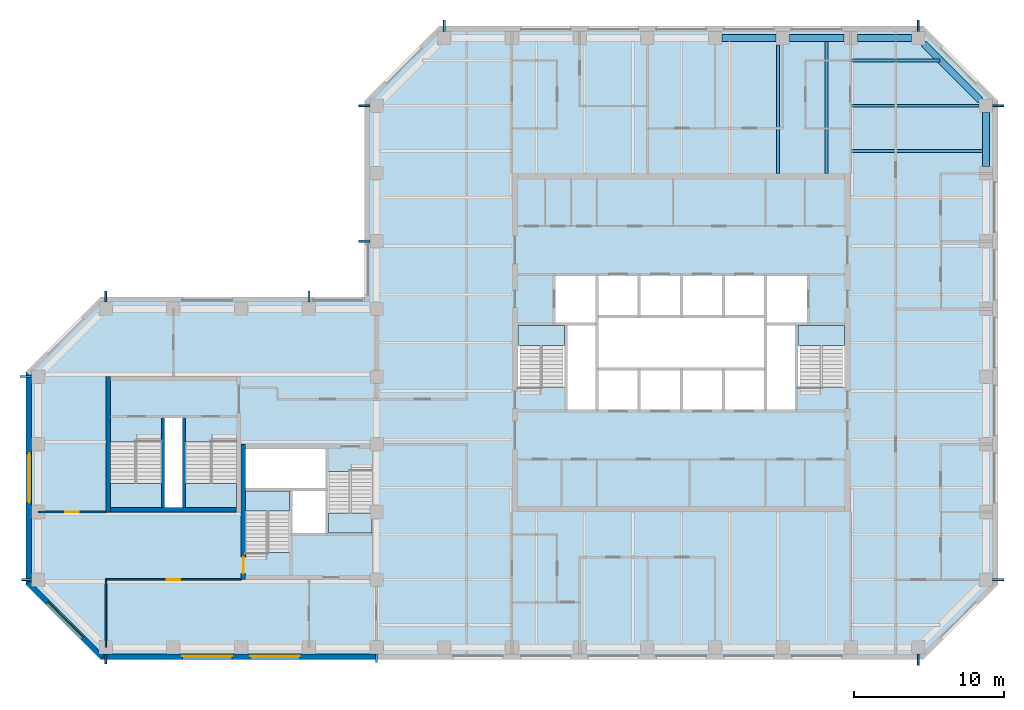
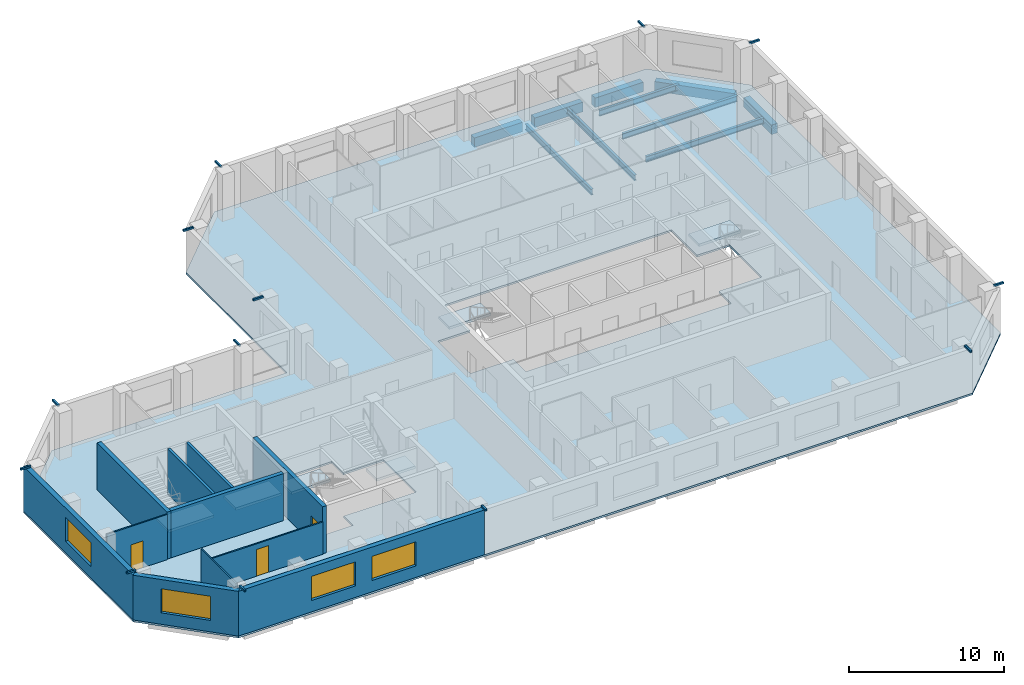
# One storey, part 2 of 9: 23 beams, 11 walls, 7 slabs, 4 windows, 3 doors, 7 openings, 6 elements without a shape of their own.
"""IFC4 building model written with IfcOpenShell, lengths in metres."""

from ifc_helpers import new_model, si_unit, direction, frame, frame_2d, origin, origin_2d, place, context, subcontext, project, spatial, polyline, rectangle, hollow_rectangle, i_section, outline, extrude, material, layer, layer_set, constituent, constituent_set, material_profile, profile_set, type_object, element, fill, aggregate, save


model = new_model("IFC4")

# Units and contexts
model_context = context("Model", 3, precision=1e-05, world=origin(), true_north=direction((0.0, 1.0)))
body_context = subcontext(model_context, "Body", "Model", "MODEL_VIEW")
ifc_project = project(units=[si_unit("LENGTHUNIT", "METRE"), si_unit("AREAUNIT", "SQUARE_METRE"), si_unit("VOLUMEUNIT", "CUBIC_METRE"), si_unit("PLANEANGLEUNIT", "RADIAN"), si_unit("MASSUNIT", "GRAM", prefix="KILO")], contexts=[model_context])

# Site, building, storey
site_placement = place(None, origin())
site = spatial("IfcSite", under=ifc_project, at=site_placement, CompositionType="ELEMENT")
building_placement = place(site_placement, origin())
building = spatial("IfcBuilding", under=site, at=building_placement, Name="Quoin Convention Tower", CompositionType="ELEMENT")
storey_placement = place(building_placement, frame((0.0, 0.0, 245.199951171875)))
storey = spatial("IfcBuildingStorey", under=building, at=storey_placement, Name="L64", CompositionType="ELEMENT", Elevation=245.199951171875)

# Beams
ifc_material_1 = material(Name="Steel C450L0", Category="steel")
ifc_material_profile_1 = material_profile(ifc_material_1, hollow_rectangle(XDim=0.14990234375, YDim=0.14990234375, WallThickness=0.008056640625, InnerFilletRadius=0.011962890625, OuterFilletRadius=0.02001953125, at=origin_2d()), Name="150x150x8.0SHS")
ifc_profile_set_1 = profile_set([ifc_material_profile_1], Name="Steel C450L0")
beam_type_1 = type_object("IfcBeamType", Name="150x150x8.0SHS", PredefinedType="BEAM", material=ifc_profile_set_1)
beam_1_placement = place(storey_placement, frame((13.050048828125, 58.5, 3.625), z_axis=(-1.0, 0.0, 0.0), x_axis=(0.0, -1.0, 0.0)))
element("IfcBeam", 1, at=beam_1_placement, inside=storey, type_object=beam_type_1, Name="brk-hi-L61-13500_58500-13500_54000", PredefinedType="BEAM", context=body_context, shape_type="SweptSolid", body=[
    extrude(hollow_rectangle(XDim=0.14990234375, YDim=0.14990234375, WallThickness=0.008056640625, InnerFilletRadius=0.011962890625, OuterFilletRadius=0.02001953125, at=origin_2d()), origin(), (0.0, 0.0, 1.0), 0.75),
])
for number, where, z_axis, x_axis, name in (
    (2, (13.050048828125, 45.0, 3.625), (-1.0, 0.0, 0.0), (0.0, -1.0, 0.0), "brk-hi-L61-13500_49500-13500_45000"),
    (3, (18.0, 40.050048828125, 3.625), (0.0, -1.0, 0.0), (1.0, 0.0, 0.0), "brk-hi-L61-18000_40500-22500_40500"),
):
    element("IfcBeam", number, at=place(storey_placement, frame(where, z_axis=z_axis, x_axis=x_axis)), inside=storey, type_object=beam_type_1, Name=name, PredefinedType="BEAM", context=body_context, shape_type="SweptSolid", body=[
        extrude(hollow_rectangle(XDim=0.14990234375, YDim=0.14990234375, WallThickness=0.008056640625, InnerFilletRadius=0.011962890625, OuterFilletRadius=0.02001953125, at=origin_2d()), origin(), (0.0, 0.0, 1.0), 0.650146484375),
    ])
beam_2_placement = place(storey_placement, frame((36.0, 40.050048828125, 3.625), z_axis=(0.0, -1.0, 0.0), x_axis=(1.0, 0.0, 0.0)))
element("IfcBeam", 4, at=beam_2_placement, inside=storey, type_object=beam_type_1, Name="brk-hi-L61-31500_40500-36000_40500", PredefinedType="BEAM", context=body_context, shape_type="SweptSolid", body=[
    extrude(hollow_rectangle(XDim=0.14990234375, YDim=0.14990234375, WallThickness=0.008056640625, InnerFilletRadius=0.011962890625, OuterFilletRadius=0.02001953125, at=origin_2d()), origin(), (0.0, 0.0, 1.0), 0.550048828125),
])
for number, where, z_axis, x_axis, name in (
    (5, (72.0, 40.050048828125, 3.625), (0.0, -1.0, 0.0), (1.0, 0.0, 0.0), "brk-hi-L61-67500_40500-72000_40500"),
    (6, (31.5, 63.449951171875, 3.625), (0.0, 1.0, 0.0), (-1.0, 0.0, 0.0), "brk-hi-L61-31500_63000-27000_63000"),
    (7, (18.0, 63.449951171875, 3.625), (0.0, 1.0, 0.0), (-1.0, 0.0, 0.0), "brk-hi-L61-22500_63000-18000_63000"),
    (8, (35.550048828125, 76.5, 3.625), (-1.0, 0.0, 0.0), (0.0, -1.0, 0.0), "brk-hi-L61-36000_76500-36000_72000"),
    (9, (35.550048828125, 67.5, 3.625), (-1.0, 0.0, 0.0), (0.0, -1.0, 0.0), "brk-hi-L61-36000_72000-36000_67500"),
    (10, (72.0, 81.449951171875, 3.625), (0.0, 1.0, 0.0), (-1.0, 0.0, 0.0), "brk-hi-L61-72000_81000-67500_81000"),
    (11, (40.5, 81.449951171875, 3.625), (0.0, 1.0, 0.0), (-1.0, 0.0, 0.0), "brk-hi-L61-45000_81000-40500_81000"),
    (12, (76.949951171875, 45.0, 3.625), (1.0, 0.0, 0.0), (0.0, 1.0, 0.0), "brk-hi-L61-76500_45000-76500_49500"),
    (13, (76.949951171875, 76.5, 3.625), (1.0, 0.0, 0.0), (0.0, 1.0, 0.0), "brk-hi-L61-76500_72000-76500_76500"),
):
    element("IfcBeam", number, at=place(storey_placement, frame(where, z_axis=z_axis, x_axis=x_axis)), inside=storey, type_object=beam_type_1, Name=name, PredefinedType="BEAM", context=body_context, shape_type="SweptSolid", body=[
        extrude(hollow_rectangle(XDim=0.14990234375, YDim=0.14990234375, WallThickness=0.008056640625, InnerFilletRadius=0.011962890625, OuterFilletRadius=0.02001953125, at=origin_2d()), origin(), (0.0, 0.0, 1.0), 0.75),
    ])
ifc_material_2 = material(Name="Steel Grade 300", Category="steel")
ifc_material_profile_2 = material_profile(ifc_material_2, i_section(OverallWidth=0.18994140625, OverallDepth=0.4541015625, WebThickness=0.008544921875, FlangeThickness=0.0126953125, FilletRadius=0.011474609375, at=origin_2d()), Name="460UB67.1")
ifc_profile_set_2 = profile_set([ifc_material_profile_2], Name="Steel Grade 300")
beam_type_2 = type_object("IfcBeamType", Name="460UB67.1", PredefinedType="BEAM", material=ifc_profile_set_2)
beam_3_placement = place(storey_placement, frame((62.6787109375, 72.0, -0.376953125), z_axis=(0.0, 1.0, 0.0), x_axis=(-1.0, 0.0, 0.0)))
element("IfcBeam", 14, at=beam_3_placement, inside=storey, type_object=beam_type_2, Name="bm-L64-T1N5", PredefinedType="BEAM", context=body_context, shape_type="SweptSolid", body=[
    extrude(i_section(OverallWidth=0.18994140625, OverallDepth=0.4541015625, WebThickness=0.008544921875, FlangeThickness=0.0126953125, FilletRadius=0.011474609375, at=origin_2d()), origin(), (0.0, 0.0, 1.0), 8.550048828125),
])
beam_4_placement = place(storey_placement, frame((65.892822265625, 72.0, -0.376953125), z_axis=(0.0, 1.0, 0.0), x_axis=(-1.0, 0.0, 0.0)))
element("IfcBeam", 15, at=beam_4_placement, inside=storey, type_object=beam_type_2, Name="bm-L64-T1N6", PredefinedType="BEAM", context=body_context, shape_type="SweptSolid", body=[
    extrude(i_section(OverallWidth=0.18994140625, OverallDepth=0.4541015625, WebThickness=0.008544921875, FlangeThickness=0.0126953125, FilletRadius=0.011474609375, at=origin_2d()), origin(), (0.0, 0.0, 1.0), 8.77490234375),
])
beam_5_placement = place(storey_placement, frame((67.5, 79.5, -0.376953125), z_axis=(1.0, 0.0, 0.0), x_axis=(0.0, 1.0, 0.0)))
element("IfcBeam", 16, at=beam_5_placement, inside=storey, type_object=beam_type_2, Name="bm-L64-T1NE0", PredefinedType="BEAM", context=body_context, shape_type="SweptSolid", body=[
    extrude(i_section(OverallWidth=0.18994140625, OverallDepth=0.4541015625, WebThickness=0.008544921875, FlangeThickness=0.0126953125, FilletRadius=0.011474609375, at=origin_2d()), origin(), (0.0, 0.0, 1.0), 5.935791015625),
])
beam_6_placement = place(storey_placement, frame((67.5, 76.5, -0.376953125), z_axis=(1.0, 0.0, 0.0), x_axis=(0.0, 1.0, 0.0)))
element("IfcBeam", 17, at=beam_6_placement, inside=storey, type_object=beam_type_2, Name="bm-L64-T1NE1", PredefinedType="BEAM", context=body_context, shape_type="SweptSolid", body=[
    extrude(i_section(OverallWidth=0.18994140625, OverallDepth=0.4541015625, WebThickness=0.008544921875, FlangeThickness=0.0126953125, FilletRadius=0.011474609375, at=origin_2d()), origin(), (0.0, 0.0, 1.0), 8.550048828125),
])
beam_7_placement = place(storey_placement, frame((67.5, 73.5, -0.376953125), z_axis=(1.0, 0.0, 0.0), x_axis=(0.0, 1.0, 0.0)))
element("IfcBeam", 18, at=beam_7_placement, inside=storey, type_object=beam_type_2, Name="bm-L64-T1NE2", PredefinedType="BEAM", context=body_context, shape_type="SweptSolid", body=[
    extrude(i_section(OverallWidth=0.18994140625, OverallDepth=0.4541015625, WebThickness=0.008544921875, FlangeThickness=0.0126953125, FilletRadius=0.011474609375, at=origin_2d()), origin(), (0.0, 0.0, 1.0), 8.77490234375),
])
ifc_material_3 = material(Name="Concrete C50", Category="concrete")
ifc_material_profile_3 = material_profile(ifc_material_3, rectangle(XDim=0.449951171875, YDim=0.75, at=origin_2d()), Name="RC 450x750")
ifc_profile_set_3 = profile_set([ifc_material_profile_3], Name="Concrete C50")
beam_type_3 = type_object("IfcBeamType", Name="RC 450x750 C50", PredefinedType="SPANDREL", material=ifc_profile_set_3)
beam_8_placement = place(storey_placement, frame((76.5, 72.449951171875, -0.52490234375), z_axis=(0.0, 1.0, 0.0), x_axis=(-1.0, 0.0, 0.0)))
element("IfcBeam", 19, at=beam_8_placement, inside=storey, type_object=beam_type_3, Name="spd-L64-76500_72000-76500_76500", PredefinedType="SPANDREL", context=body_context, shape_type="SweptSolid", body=[
    extrude(rectangle(XDim=0.449951171875, YDim=0.75, at=origin_2d()), origin(), (0.0, 0.0, 1.0), 3.60009765625),
])
beam_9_placement = place(storey_placement, frame((76.135009765625, 76.864990234375, -0.52490234375), z_axis=(-0.707106781187, 0.707106781187, 0.0), x_axis=(-0.707106781187, -0.707106781187, 0.0)))
element("IfcBeam", 20, at=beam_9_placement, inside=storey, type_object=beam_type_3, Name="spd-L64-76500_76500-72000_81000", PredefinedType="SPANDREL", context=body_context, shape_type="SweptSolid", body=[
    extrude(rectangle(XDim=0.449951171875, YDim=0.75, at=origin_2d()), origin(), (0.0, 0.0, 1.0), 5.33154296875),
])
for number, where, z_axis, x_axis, name in (
    (21, (71.550048828125, 81.0, -0.52490234375), (-1.0, 0.0, 0.0), (0.0, -1.0, 0.0), "spd-L64-72000_81000-67500_81000"),
    (22, (67.050048828125, 81.0, -0.52490234375), (-1.0, 0.0, 0.0), (0.0, -1.0, 0.0), "spd-L64-67500_81000-63000_81000"),
    (23, (62.550048828125, 81.0, -0.52490234375), (-1.0, 0.0, 0.0), (0.0, -1.0, 0.0), "spd-L64-63000_81000-58500_81000"),
):
    element("IfcBeam", number, at=place(storey_placement, frame(where, z_axis=z_axis, x_axis=x_axis)), inside=storey, type_object=beam_type_3, Name=name, PredefinedType="SPANDREL", context=body_context, shape_type="SweptSolid", body=[
        extrude(rectangle(XDim=0.449951171875, YDim=0.75, at=origin_2d()), origin(), (0.0, 0.0, 1.0), 3.60009765625),
    ])

# Slab
ifc_material_4 = material(Name="Concrete C40", Category="concrete")
ifc_layer_1 = layer(ifc_material_4, 0.14990234375)
ifc_layer_set_1 = layer_set([ifc_layer_1], Name="Concrete C40")
slab_type_1 = type_object("IfcSlabType", Name="COMPOSITE SLAB 150 C40", PredefinedType="FLOOR", material=ifc_layer_set_1)
slab_1_placement = place(storey_placement, frame((0.0, 0.0, -0.14990234375)))
element("IfcSlab", 24, at=slab_1_placement, inside=storey, type_object=slab_type_1, Name="slb-L64", PredefinedType="FLOOR", context=body_context, shape_type="SweptSolid", body=[
    extrude(outline(polyline([(17.668701171875, 39.699951171875), (12.699951171875, 44.668701171875), (12.699951171875, 58.831298828125), (17.668701171875, 63.800048828125), (35.199951171875, 63.800048828125), (35.199951171875, 76.831298828125), (40.168701171875, 81.800048828125), (72.331298828125, 81.800048828125), (77.300048828125, 76.831298828125), (77.300048828125, 44.668701171875), (72.331298828125, 39.699951171875), (17.668701171875, 39.699951171875)]), holes=[polyline([(27.300048828125, 51.0), (27.300048828125, 46.800537109375), (30.300048828125, 46.800537109375), (30.300048828125, 48.0), (32.699951171875, 48.0), (35.699951171875, 48.0), (35.699951171875, 52.199462890625), (32.699951171875, 52.199462890625), (32.699951171875, 53.699951171875), (27.300048828125, 53.699951171875), (27.300048828125, 51.0)]), polyline([(18.300048828125, 49.800048828125), (21.800048828125, 49.800048828125), (23.199951171875, 49.800048828125), (26.699951171875, 49.800048828125), (26.699951171875, 54.1494140625), (23.199951171875, 54.1494140625), (23.199951171875, 55.85009765625), (21.800048828125, 55.85009765625), (21.800048828125, 54.1494140625), (18.300048828125, 54.1494140625), (18.300048828125, 49.800048828125)]), polyline([(48.60009765625, 56.199951171875), (50.64990234375, 56.199951171875), (53.449951171875, 56.199951171875), (56.25, 56.199951171875), (59.050048828125, 56.199951171875), (61.85009765625, 56.199951171875), (63.89990234375, 56.199951171875), (63.89990234375, 57.800537109375), (67.10009765625, 57.800537109375), (67.10009765625, 62.0), (64.699951171875, 62.0), (64.699951171875, 65.300048828125), (61.85009765625, 65.300048828125), (59.050048828125, 65.300048828125), (56.25, 65.300048828125), (53.449951171875, 65.300048828125), (50.64990234375, 65.300048828125), (47.800048828125, 65.300048828125), (47.800048828125, 62.0), (45.39990234375, 62.0), (45.39990234375, 57.800537109375), (48.60009765625, 57.800537109375), (48.60009765625, 56.199951171875)])]), origin(), (0.0, 0.0, 1.0), 0.14990234375),
])

# Stair, slab
stair_type_1 = type_object("IfcStairType", Name="Exit stair two-flight 1350", PredefinedType="HALF_TURN_STAIR", material=ifc_material_4)
stair_1_placement = place(storey_placement, origin())
stair_1 = element("IfcStair", 25, at=stair_1_placement, inside=storey, type_object=stair_type_1, Name="SD1 L64", PredefinedType="HALF_TURN_STAIR")
ifc_layer_2 = layer(ifc_material_4, 0.199951171875)
ifc_layer_set_2 = layer_set([ifc_layer_2], Name="Concrete C40")
slab_type_2 = type_object("IfcSlabType", Name="Stair landing 200", PredefinedType="LANDING", material=ifc_layer_set_2)
slab_2_placement = place(storey_placement, frame((0.0, 0.0, 1.792236328125)))
slab_2 = element("IfcSlab", 26, at=slab_2_placement, type_object=slab_type_2, Name="ST1 landing 1", PredefinedType="LANDING", context=body_context, shape_type="SweptSolid", body=[
    extrude(outline(polyline([(45.39990234375, 60.550048828125), (48.5, 60.550048828125), (48.5, 61.89990234375), (45.39990234375, 61.89990234375), (45.39990234375, 60.550048828125)])), origin(), (0.0, 0.0, 1.0), 0.2001953125),
])
aggregate(stair_1, [slab_2])

stair_2_placement = place(storey_placement, origin())
stair_2 = element("IfcStair", 27, at=stair_2_placement, inside=storey, type_object=stair_type_1, Name="SD2 L64", PredefinedType="HALF_TURN_STAIR")
slab_3_placement = place(storey_placement, frame((0.0, 0.0, 1.792236328125)))
slab_3 = element("IfcSlab", 28, at=slab_3_placement, type_object=slab_type_2, Name="ST2 landing 1", PredefinedType="LANDING", context=body_context, shape_type="SweptSolid", body=[
    extrude(outline(polyline([(64.0, 60.550048828125), (67.10009765625, 60.550048828125), (67.10009765625, 61.89990234375), (64.0, 61.89990234375), (64.0, 60.550048828125)])), origin(), (0.0, 0.0, 1.0), 0.2001953125),
])
aggregate(stair_2, [slab_3])

stair_3_placement = place(storey_placement, origin())
stair_3 = element("IfcStair", 29, at=stair_3_placement, inside=storey, type_object=stair_type_1, Name="SD3 L64", PredefinedType="HALF_TURN_STAIR")
slab_4_placement = place(storey_placement, frame((0.0, 0.0, 1.792236328125)))
slab_4 = element("IfcSlab", 30, at=slab_4_placement, type_object=slab_type_2, Name="ST3 landing 1", PredefinedType="LANDING", context=body_context, shape_type="SweptSolid", body=[
    extrude(outline(polyline([(27.300048828125, 49.550048828125), (30.199951171875, 49.550048828125), (30.199951171875, 50.89990234375), (27.300048828125, 50.89990234375), (27.300048828125, 49.550048828125)])), origin(), (0.0, 0.0, 1.0), 0.2001953125),
])
aggregate(stair_3, [slab_4])

stair_4_placement = place(storey_placement, origin())
stair_4 = element("IfcStair", 31, at=stair_4_placement, inside=storey, type_object=stair_type_1, Name="SD4 L64", PredefinedType="HALF_TURN_STAIR")
slab_5_placement = place(storey_placement, frame((0.0, 0.0, 1.792236328125)))
slab_5 = element("IfcSlab", 32, at=slab_5_placement, type_object=slab_type_2, Name="ST4 landing 1", PredefinedType="LANDING", context=body_context, shape_type="SweptSolid", body=[
    extrude(outline(polyline([(35.699951171875, 49.449951171875), (32.800048828125, 49.449951171875), (32.800048828125, 48.10009765625), (35.699951171875, 48.10009765625), (35.699951171875, 49.449951171875)])), origin(), (0.0, 0.0, 1.0), 0.2001953125),
])
aggregate(stair_4, [slab_5])

stair_type_2 = type_object("IfcStairType", Name="Exit stair two-flight 1600", PredefinedType="HALF_TURN_STAIR", material=ifc_material_4)
stair_5_placement = place(storey_placement, origin())
stair_5 = element("IfcStair", 33, at=stair_5_placement, inside=storey, type_object=stair_type_2, Name="SD11 L64", PredefinedType="HALF_TURN_STAIR")
slab_6_placement = place(storey_placement, frame((0.0, 0.0, 1.792236328125)))
slab_6 = element("IfcSlab", 34, at=slab_6_placement, type_object=slab_type_2, Name="ST11 landing 1", PredefinedType="LANDING", context=body_context, shape_type="SweptSolid", body=[
    extrude(outline(polyline([(21.699951171875, 51.39990234375), (18.300048828125, 51.39990234375), (18.300048828125, 49.800048828125), (21.699951171875, 49.800048828125), (21.699951171875, 51.39990234375)])), origin(), (0.0, 0.0, 1.0), 0.2001953125),
])
aggregate(stair_5, [slab_6])

stair_6_placement = place(storey_placement, origin())
stair_6 = element("IfcStair", 35, at=stair_6_placement, inside=storey, type_object=stair_type_2, Name="SD12 L64", PredefinedType="HALF_TURN_STAIR")
slab_7_placement = place(storey_placement, frame((0.0, 0.0, 1.792236328125)))
slab_7 = element("IfcSlab", 36, at=slab_7_placement, type_object=slab_type_2, Name="ST12 landing 1", PredefinedType="LANDING", context=body_context, shape_type="SweptSolid", body=[
    extrude(outline(polyline([(26.699951171875, 51.39990234375), (23.300048828125, 51.39990234375), (23.300048828125, 49.800048828125), (26.699951171875, 49.800048828125), (26.699951171875, 51.39990234375)])), origin(), (0.0, 0.0, 1.0), 0.2001953125),
])
aggregate(stair_6, [slab_7])

# Wall, opening, window
ifc_material_5 = material(Name="Brick masonry", Category="masonry")
ifc_layer_3 = layer(ifc_material_5, 0.35009765625)
ifc_layer_set_3 = layer_set([ifc_layer_3], Name="Brick masonry")
wall_type_1 = type_object("IfcWallType", Name="Brick facade wall", PredefinedType="STANDARD", material=ifc_layer_set_3)
wall_1_placement = place(storey_placement, frame((12.875, 58.831298828125, 0.0), z_axis=(0.0, 0.0, 1.0), x_axis=(0.0, -1.0, 0.0)))
wall_1 = element("IfcWall", 37, at=wall_1_placement, inside=storey, type_object=wall_type_1, Name="fw-L64-13500_58500", PredefinedType="STANDARD", context=body_context, shape_type="SweptSolid", body=[
    extrude(rectangle(XDim=14.16259765625, YDim=0.35009765625, at=frame_2d((7.081298828125, 0.0))), origin(), (0.0, 0.0, 1.0), 3.525146484375),
])
opening_1_placement = place(wall_1_placement, frame((5.431396484375, 0.0, 0.89990234375)))
opening_1 = element("IfcOpeningElement", 38, at=opening_1_placement, cuts=wall_1, Name="Opening W-02", PredefinedType="OPENING", context=body_context, shape_type="SweptSolid", body=[
    extrude(rectangle(XDim=3.300048828125, YDim=1.89990234375, at=frame_2d((1.64990234375, 0.949951171875))), frame((0.0, 0.18505859375, 0.0), z_axis=(0.0, -1.0, 0.0), x_axis=(1.0, 0.0, 0.0)), (0.0, 0.0, 1.0), 0.3701171875),
])
ifc_material_6 = material(Name="Aluminium", Category="aluminium")
ifc_constituent_1 = constituent(ifc_material_6, Name="Frame")
ifc_material_7 = material(Name="Insulated glass", Category="glass")
ifc_constituent_2 = constituent(ifc_material_7, Name="Glazing")
ifc_constituent_set = constituent_set(constituents=[ifc_constituent_1, ifc_constituent_2], Name="Aluminium")
window_type = type_object("IfcWindowType", Name="Office window", PartitioningType="DOUBLE_PANEL_VERTICAL", PredefinedType="WINDOW", material=ifc_constituent_set)
window_1_placement = place(opening_1_placement, origin())
window_1 = element("IfcWindow", 39, at=window_1_placement, inside=storey, type_object=window_type, Name="win-L64-12875_51750", OverallHeight=1.89990234375, OverallWidth=3.300048828125, PartitioningType="SINGLE_PANEL", PredefinedType="WINDOW", context=body_context, shape_type="SweptSolid", body=[
    extrude(rectangle(XDim=3.300048828125, YDim=1.89990234375, at=frame_2d((1.64990234375, 0.949951171875))), frame((0.0, 0.0849609375, 0.0), z_axis=(0.0, -1.0, 0.0), x_axis=(1.0, 0.0, 0.0)), (0.0, 0.0, 1.0), 0.06005859375),
])
fill(opening_1, window_1)

wall_2_placement = place(storey_placement, frame((12.82373046875, 44.79248046875, 0.0), z_axis=(0.0, 0.0, 1.0), x_axis=(0.707106781187, -0.707106781187, 0.0)))
wall_2 = element("IfcWall", 40, at=wall_2_placement, inside=storey, type_object=wall_type_1, Name="fw-L64-13500_45000", PredefinedType="STANDARD", context=body_context, shape_type="SweptSolid", body=[
    extrude(rectangle(XDim=7.02685546875, YDim=0.35009765625, at=frame_2d((3.513427734375, 0.0))), origin(), (0.0, 0.0, 1.0), 3.525146484375),
])
opening_2_placement = place(wall_2_placement, frame((1.86328125, 0.0, 0.89990234375)))
opening_2 = element("IfcOpeningElement", 41, at=opening_2_placement, cuts=wall_2, Name="Opening W-02", PredefinedType="OPENING", context=body_context, shape_type="SweptSolid", body=[
    extrude(rectangle(XDim=3.300048828125, YDim=1.89990234375, at=frame_2d((1.64990234375, 0.949951171875))), frame((0.0, 0.18505859375, 0.0), z_axis=(0.0, -1.0, 0.0), x_axis=(1.0, 0.0, 0.0)), (0.0, 0.0, 1.0), 0.3701171875),
])
window_2_placement = place(opening_2_placement, origin())
window_2 = element("IfcWindow", 42, at=window_2_placement, inside=storey, type_object=window_type, Name="win-L64-15308_42308", OverallHeight=1.89990234375, OverallWidth=3.300048828125, PartitioningType="SINGLE_PANEL", PredefinedType="WINDOW", context=body_context, shape_type="SweptSolid", body=[
    extrude(rectangle(XDim=3.300048828125, YDim=1.89990234375, at=frame_2d((1.64990234375, 0.949951171875))), frame((0.0, 0.0849609375, 0.0), z_axis=(0.0, -1.0, 0.0), x_axis=(1.0, 0.0, 0.0)), (0.0, 0.0, 1.0), 0.06005859375),
])
fill(opening_2, window_2)

# Wall, openings, windows
wall_3_placement = place(storey_placement, frame((17.668701171875, 39.875, 0.0), z_axis=(0.0, 0.0, 1.0), x_axis=(1.0, 0.0, 0.0)))
wall_3 = element("IfcWall", 43, at=wall_3_placement, inside=storey, type_object=wall_type_1, Name="fw-L64-18000_40500", PredefinedType="STANDARD", context=body_context, shape_type="SweptSolid", body=[
    extrude(rectangle(XDim=18.331298828125, YDim=0.35009765625, at=frame_2d((9.16552734375, 0.0))), origin(), (0.0, 0.0, 1.0), 3.525146484375),
])
opening_3_placement = place(wall_3_placement, frame((5.431396484375, 0.0, 0.89990234375)))
opening_3 = element("IfcOpeningElement", 44, at=opening_3_placement, cuts=wall_3, Name="Opening W-02", PredefinedType="OPENING", context=body_context, shape_type="SweptSolid", body=[
    extrude(rectangle(XDim=3.300048828125, YDim=1.89990234375, at=frame_2d((1.64990234375, 0.949951171875))), frame((0.0, 0.18505859375, 0.0), z_axis=(0.0, -1.0, 0.0), x_axis=(1.0, 0.0, 0.0)), (0.0, 0.0, 1.0), 0.3701171875),
])
opening_4_placement = place(wall_3_placement, frame((9.931396484375, 0.0, 0.89990234375)))
opening_4 = element("IfcOpeningElement", 45, at=opening_4_placement, cuts=wall_3, Name="Opening W-02", PredefinedType="OPENING", context=body_context, shape_type="SweptSolid", body=[
    extrude(rectangle(XDim=3.300048828125, YDim=1.89990234375, at=frame_2d((1.64990234375, 0.949951171875))), frame((0.0, 0.18505859375, 0.0), z_axis=(0.0, -1.0, 0.0), x_axis=(1.0, 0.0, 0.0)), (0.0, 0.0, 1.0), 0.3701171875),
])
window_3_placement = place(opening_3_placement, origin())
window_3 = element("IfcWindow", 46, at=window_3_placement, inside=storey, type_object=window_type, Name="win-L64-24750_39875", OverallHeight=1.89990234375, OverallWidth=3.300048828125, PartitioningType="SINGLE_PANEL", PredefinedType="WINDOW", context=body_context, shape_type="SweptSolid", body=[
    extrude(rectangle(XDim=3.300048828125, YDim=1.89990234375, at=frame_2d((1.64990234375, 0.949951171875))), frame((0.0, 0.0849609375, 0.0), z_axis=(0.0, -1.0, 0.0), x_axis=(1.0, 0.0, 0.0)), (0.0, 0.0, 1.0), 0.06005859375),
])
fill(opening_3, window_3)
window_4_placement = place(opening_4_placement, origin())
window_4 = element("IfcWindow", 47, at=window_4_placement, inside=storey, type_object=window_type, Name="win-L64-29250_39875", OverallHeight=1.89990234375, OverallWidth=3.300048828125, PartitioningType="SINGLE_PANEL", PredefinedType="WINDOW", context=body_context, shape_type="SweptSolid", body=[
    extrude(rectangle(XDim=3.300048828125, YDim=1.89990234375, at=frame_2d((1.64990234375, 0.949951171875))), frame((0.0, 0.0849609375, 0.0), z_axis=(0.0, -1.0, 0.0), x_axis=(1.0, 0.0, 0.0)), (0.0, 0.0, 1.0), 0.06005859375),
])
fill(opening_4, window_4)

# Walls
ifc_layer_4 = layer(ifc_material_3, 0.199951171875)
ifc_layer_set_4 = layer_set([ifc_layer_4], Name="Concrete C50")
wall_type_2 = type_object("IfcWallType", Name="Core shaft wall", PredefinedType="SOLIDWALL", material=ifc_layer_set_4)
for number, where, z_axis, x_axis, name in (
    (48, (21.800048828125, 49.800048828125, 0.0), (0.0, 0.0, 1.0), (0.0, 1.0, 0.0), "cr-P6-L64-v3800_300"),
    (49, (23.199951171875, 49.800048828125, 0.0), (0.0, 0.0, 1.0), (0.0, 1.0, 0.0), "cr-P6-L64-v5200_300"),
):
    element("IfcWall", number, at=place(storey_placement, frame(where, z_axis=z_axis, x_axis=x_axis)), inside=storey, type_object=wall_type_2, Name=name, PredefinedType="SOLIDWALL", context=body_context, shape_type="SweptSolid", body=[
        extrude(rectangle(XDim=6.050048828125, YDim=0.199951171875, at=frame_2d((3.02490234375, 0.0))), origin(), (0.0, 0.0, 1.0), 3.550048828125),
    ])

# Wall, opening, door
ifc_layer_5 = layer(ifc_material_3, 0.300048828125)
ifc_layer_set_5 = layer_set([ifc_layer_5], Name="Concrete C50")
wall_type_3 = type_object("IfcWallType", Name="RC CORE WALL 300 C50", PredefinedType="SHEAR", material=ifc_layer_set_5)
wall_4_placement = place(storey_placement, frame((27.14990234375, 45.0, 0.0), z_axis=(0.0, 0.0, 1.0), x_axis=(0.0, 1.0, 0.0)))
wall_4 = element("IfcWall", 50, at=wall_4_placement, inside=storey, type_object=wall_type_3, Name="cwl-P2-L64-W", PredefinedType="SHEAR", context=body_context, shape_type="SweptSolid", body=[
    extrude(rectangle(XDim=9.0, YDim=0.300048828125, at=frame_2d((4.5, 0.0))), origin(), (0.0, 0.0, 1.0), 3.699951171875),
])
opening_5_placement = place(wall_4_placement, frame((0.39990234375, 0.0, 0.0)))
opening_5 = element("IfcOpeningElement", 51, at=opening_5_placement, cuts=wall_4, Name="Opening SD3", PredefinedType="OPENING", context=body_context, shape_type="SweptSolid", body=[
    extrude(rectangle(XDim=1.10009765625, YDim=2.10009765625, at=frame_2d((0.550048828125, 1.050048828125))), frame((0.0, 0.159912109375, 0.0), z_axis=(0.0, -1.0, 0.0), x_axis=(1.0, 0.0, 0.0)), (0.0, 0.0, 1.0), 0.320068359375),
])
ifc_material_8 = material(Name="Steel door leaf", Category="steel")
door_type_1 = type_object("IfcDoorType", Name="Stair door 1100 x 2100", OperationType="SINGLE_SWING_RIGHT", PredefinedType="DOOR", material=ifc_material_8)
door_1_placement = place(opening_5_placement, frame((1.10009765625, 0.0, 0.0), z_axis=(0.0, 0.0, 1.0), x_axis=(-1.0, 0.0, 0.0)))
door_1 = element("IfcDoor", 52, at=door_1_placement, inside=storey, type_object=door_type_1, Name="cd-P2-L64-SA-W", OperationType="SINGLE_SWING_RIGHT", OverallHeight=2.10009765625, OverallWidth=1.10009765625, PredefinedType="DOOR", context=body_context, shape_type="SweptSolid", body=[
    extrude(rectangle(XDim=1.10009765625, YDim=2.10009765625, at=frame_2d((0.550048828125, 1.050048828125))), frame((0.0, 0.02490234375, 0.0), z_axis=(0.0, -1.0, 0.0), x_axis=(1.0, 0.0, 0.0)), (0.0, 0.0, 1.0), 0.050048828125),
])
fill(opening_5, door_1)

# Walls
wall_5_placement = place(storey_placement, frame((18.300048828125, 49.64990234375, 0.0), z_axis=(0.0, 0.0, 1.0), x_axis=(1.0, 0.0, 0.0)))
element("IfcWall", 53, at=wall_5_placement, inside=storey, type_object=wall_type_3, Name="cwl-P6-L64-S", PredefinedType="SHEAR", context=body_context, shape_type="SweptSolid", body=[
    extrude(rectangle(XDim=8.39990234375, YDim=0.300048828125, at=frame_2d((4.199951171875, 0.0))), origin(), (0.0, 0.0, 1.0), 3.699951171875),
])
wall_6_placement = place(storey_placement, frame((18.14990234375, 49.5, 0.0), z_axis=(0.0, 0.0, 1.0), x_axis=(0.0, 1.0, 0.0)))
element("IfcWall", 54, at=wall_6_placement, inside=storey, type_object=wall_type_3, Name="cwl-P6-L64-W", PredefinedType="SHEAR", context=body_context, shape_type="SweptSolid", body=[
    extrude(rectangle(XDim=9.0, YDim=0.300048828125, at=frame_2d((4.5, 0.0))), origin(), (0.0, 0.0, 1.0), 3.699951171875),
])

# Wall, opening, door
ifc_material_9 = material(Name="Plasterboard")
ifc_layer_6 = layer(ifc_material_9, 0.012451171875, Name="Finish")
ifc_material_10 = material(Name="Steel stud framing", Category="steel")
ifc_layer_7 = layer(ifc_material_10, 0.074951171875, Name="Structure")
ifc_layer_8 = layer(ifc_material_9, 0.012451171875, Name="Finish")
ifc_layer_set_6 = layer_set([ifc_layer_6, ifc_layer_7, ifc_layer_8], Name="Steel stud framing")
wall_type_4 = type_object("IfcWallType", Name="Stud partition 100", PredefinedType="PARTITIONING", material=ifc_layer_set_6)
wall_7_placement = place(storey_placement, frame((13.5, 49.5, 0.0), z_axis=(0.0, 0.0, 1.0), x_axis=(1.0, 0.0, 0.0)))
wall_7 = element("IfcWall", 55, at=wall_7_placement, inside=storey, type_object=wall_type_4, Name="pw-L64-w02", PredefinedType="PARTITIONING", context=body_context, shape_type="SweptSolid", body=[
    extrude(rectangle(XDim=4.5, YDim=0.10009765625, at=frame_2d((2.25, 0.0))), origin(), (0.0, 0.0, 1.0), 3.550048828125),
])
opening_6_placement = place(wall_7_placement, frame((1.800048828125, 0.0, 0.0)))
opening_6 = element("IfcOpeningElement", 56, at=opening_6_placement, cuts=wall_7, Name="Opening DOH12-24", PredefinedType="OPENING", context=body_context, shape_type="SweptSolid", body=[
    extrude(rectangle(XDim=0.89990234375, YDim=2.10009765625, at=frame_2d((0.449951171875, 1.050048828125))), frame((0.0, 0.06005859375, 0.0), z_axis=(0.0, -1.0, 0.0), x_axis=(1.0, 0.0, 0.0)), (0.0, 0.0, 1.0), 0.1201171875),
])
door_type_2 = type_object("IfcDoorType", Name="Office door 900 x 2100", OperationType="SINGLE_SWING_RIGHT", PredefinedType="DOOR", material=ifc_material_8)
door_2_placement = place(opening_6_placement, origin())
door_2 = element("IfcDoor", 57, at=door_2_placement, inside=storey, type_object=door_type_2, Name="dr-L64-w03", OperationType="SINGLE_SWING_RIGHT", OverallHeight=2.10009765625, OverallWidth=0.89990234375, PredefinedType="DOOR", context=body_context, shape_type="SweptSolid", body=[
    extrude(rectangle(XDim=0.89990234375, YDim=2.10009765625, at=frame_2d((0.449951171875, 1.050048828125))), frame((0.0, 0.02490234375, 0.0), z_axis=(0.0, -1.0, 0.0), x_axis=(1.0, 0.0, 0.0)), (0.0, 0.0, 1.0), 0.050048828125),
])
fill(opening_6, door_2)

# Wall
wall_8_placement = place(storey_placement, frame((18.0, 40.5, 0.0), z_axis=(0.0, 0.0, 1.0), x_axis=(0.0, 1.0, 0.0)))
element("IfcWall", 58, at=wall_8_placement, inside=storey, type_object=wall_type_4, Name="pw-L64-w03", PredefinedType="PARTITIONING", context=body_context, shape_type="SweptSolid", body=[
    extrude(rectangle(XDim=4.5, YDim=0.10009765625, at=frame_2d((2.25, 0.0))), origin(), (0.0, 0.0, 1.0), 3.550048828125),
])

# Wall, opening, door
ifc_layer_9 = layer(ifc_material_9, 0.012451171875, Name="Finish")
ifc_layer_10 = layer(ifc_material_10, 0.074951171875, Name="Structure")
ifc_layer_11 = layer(ifc_material_9, 0.012451171875, Name="Finish")
ifc_layer_set_7 = layer_set([ifc_layer_9, ifc_layer_10, ifc_layer_11], Name="Steel stud framing")
wall_type_5 = type_object("IfcWallType", Name="Stud partition 100 under beam 1000", PredefinedType="PARTITIONING", material=ifc_layer_set_7)
wall_9_placement = place(storey_placement, frame((18.0, 45.0, 0.0), z_axis=(0.0, 0.0, 1.0), x_axis=(1.0, 0.0, 0.0)))
wall_9 = element("IfcWall", 59, at=wall_9_placement, inside=storey, type_object=wall_type_5, Name="pw-L64-w04", PredefinedType="PARTITIONING", context=body_context, shape_type="SweptSolid", body=[
    extrude(rectangle(XDim=9.0, YDim=0.10009765625, at=frame_2d((4.5, 0.0))), origin(), (0.0, 0.0, 1.0), 2.550048828125),
])
opening_7_placement = place(wall_9_placement, frame((4.050048828125, 0.0, 0.0)))
opening_7 = element("IfcOpeningElement", 60, at=opening_7_placement, cuts=wall_9, Name="Opening DOH12-25", PredefinedType="OPENING", context=body_context, shape_type="SweptSolid", body=[
    extrude(rectangle(XDim=0.89990234375, YDim=2.10009765625, at=frame_2d((0.449951171875, 1.050048828125))), frame((0.0, 0.06005859375, 0.0), z_axis=(0.0, -1.0, 0.0), x_axis=(1.0, 0.0, 0.0)), (0.0, 0.0, 1.0), 0.1201171875),
])
door_3_placement = place(opening_7_placement, origin())
door_3 = element("IfcDoor", 61, at=door_3_placement, inside=storey, type_object=door_type_2, Name="dr-L64-w04", OperationType="SINGLE_SWING_RIGHT", OverallHeight=2.10009765625, OverallWidth=0.89990234375, PredefinedType="DOOR", context=body_context, shape_type="SweptSolid", body=[
    extrude(rectangle(XDim=0.89990234375, YDim=2.10009765625, at=frame_2d((0.449951171875, 1.050048828125))), frame((0.0, 0.02490234375, 0.0), z_axis=(0.0, -1.0, 0.0), x_axis=(1.0, 0.0, 0.0)), (0.0, 0.0, 1.0), 0.050048828125),
])
fill(opening_7, door_3)

save(model, "model.ifc")
